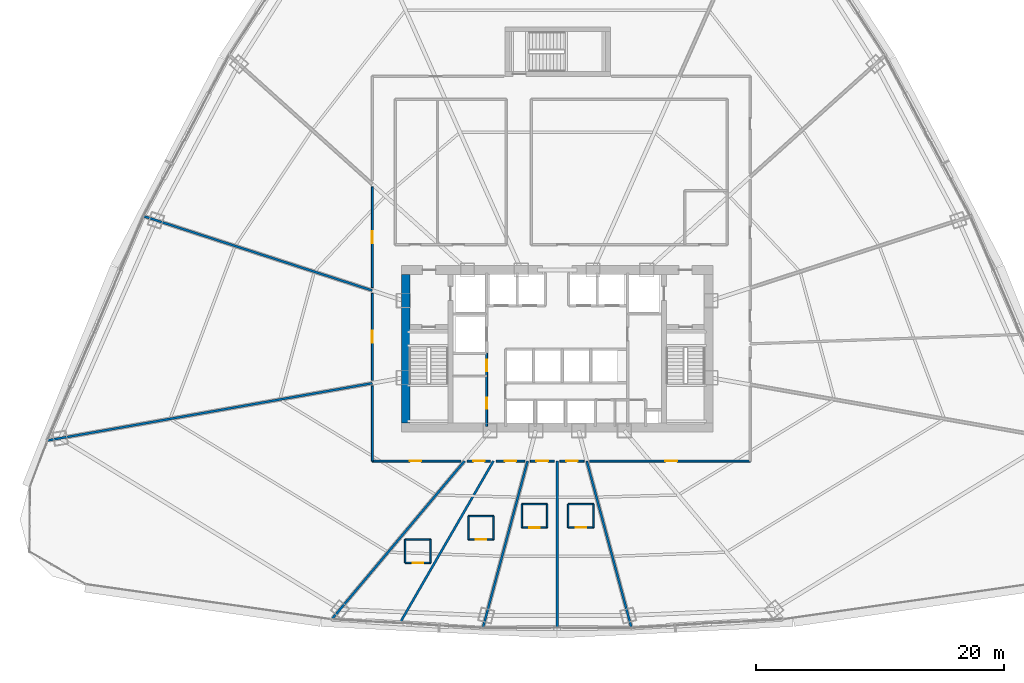
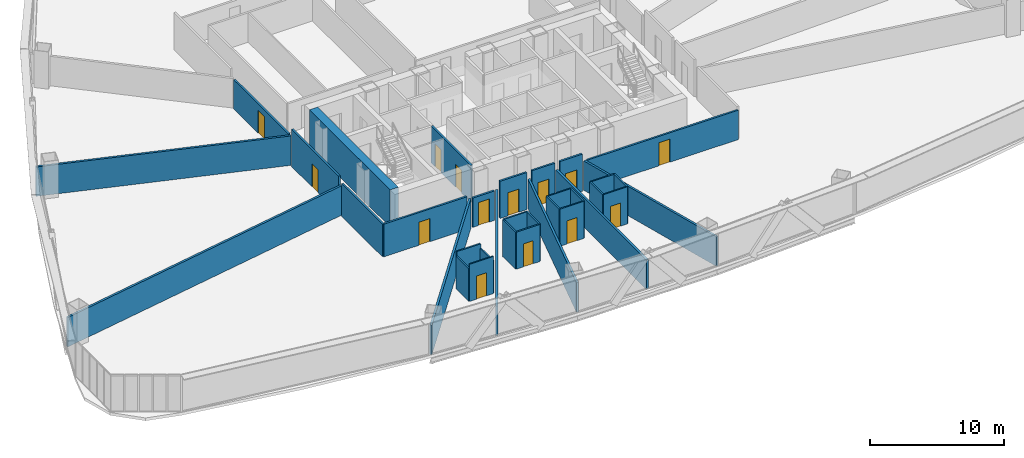
# One storey, part 32 of 40: 34 walls, 14 doors, 14 openings.
"""IFC4 building model written with IfcOpenShell, lengths in metres."""

from ifc_helpers import new_model, si_unit, direction, frame, frame_2d, origin, origin_with_axes, place, context, subcontext, project, spatial, rectangle, extrude, source, transform, mapped, material, layer, layer_set, type_object, element, fill, save


model = new_model("IFC4")

# Units and contexts
model_context = context("Model", 3, precision=1e-05, world=origin(), true_north=direction((0.0, 1.0)))
body_context = subcontext(model_context, "Body", "Model", "MODEL_VIEW")
ifc_project = project(units=[si_unit("LENGTHUNIT", "METRE"), si_unit("AREAUNIT", "SQUARE_METRE"), si_unit("VOLUMEUNIT", "CUBIC_METRE"), si_unit("PLANEANGLEUNIT", "RADIAN"), si_unit("MASSUNIT", "GRAM", prefix="KILO"), si_unit("THERMODYNAMICTEMPERATUREUNIT", "KELVIN"), si_unit("POWERUNIT", "WATT")], contexts=[model_context])

# Site, building, storey
site_placement = place(None, origin())
site = spatial("IfcSite", under=ifc_project, at=site_placement, CompositionType="ELEMENT")
building_placement = place(site_placement, origin())
building = spatial("IfcBuilding", under=site, at=building_placement, Name="Yunzhuo Pagoda Commons", CompositionType="ELEMENT")
storey_placement = place(building_placement, frame((0.0, 0.0, 66.699951171875)))
storey = spatial("IfcBuildingStorey", under=building, at=storey_placement, Name="L17", CompositionType="ELEMENT", Elevation=66.699951171875)

# Wall
ifc_material_1 = material(Name="Concrete C60", Category="concrete")
ifc_layer_1 = layer(ifc_material_1, 0.699951171875)
ifc_layer_set_1 = layer_set([ifc_layer_1], Name="Concrete C60")
wall_type_1 = type_object("IfcWallType", Name="W-C01 Lower Core Shear Wall 700", PredefinedType="SHEAR", material=ifc_layer_set_1)
wall_1_placement = place(storey_placement, frame((35.800048828125, 27.85009765625, 0.0), z_axis=(0.0, 0.0, 1.0), x_axis=(0.0, 1.0, 0.0)))
element("IfcWall", 1, at=wall_1_placement, inside=storey, type_object=wall_type_1, Name="L17 core shear wall W", PredefinedType="SHEAR", context=body_context, shape_type="SweptSolid", body=[
    extrude(rectangle(XDim=12.0, YDim=0.699951171875, at=frame_2d((6.0, 0.0))), origin(), (0.0, 0.0, 1.0), 3.3701171875),
])

# Wall, openings, doors
ifc_material_2 = material(Name="Gypsum plasterboard on acoustic stud")
ifc_layer_2 = layer(ifc_material_2, 0.159912109375)
ifc_layer_set_2 = layer_set([ifc_layer_2], Name="Gypsum plasterboard on acoustic stud")
wall_type_2 = type_object("IfcWallType", Name="W-COR1 Tower Rated Corridor Wall 160", PredefinedType="PARTITIONING", material=ifc_layer_set_2)
wall_2_placement = place(storey_placement, frame((42.320068359375, 27.60009765625, 0.0), z_axis=(0.0, 0.0, 1.0), x_axis=(0.0, 1.0, 0.0)))
wall_2 = element("IfcWall", 2, at=wall_2_placement, inside=storey, type_object=wall_type_2, Name="L17 interior wall IW-L17-CSWE", PredefinedType="PARTITIONING", context=body_context, shape_type="SweptSolid", body=[
    extrude(rectangle(XDim=5.89990234375, YDim=0.159912109375, at=frame_2d((2.949951171875, 0.0))), origin(), (0.0, 0.0, 1.0), 3.3701171875),
])
opening_1_placement = place(wall_2_placement, frame((1.39990234375, 0.0, 0.0)))
opening_1 = element("IfcOpeningElement", 3, at=opening_1_placement, cuts=wall_2, Name="Opening D-03", PredefinedType="OPENING", context=body_context, shape_type="SweptSolid", body=[
    extrude(rectangle(XDim=0.89990234375, YDim=2.10009765625, at=frame_2d((0.449951171875, 1.050048828125))), frame((0.0, 0.08984375, 0.0), z_axis=(0.0, -1.0, 0.0), x_axis=(1.0, 0.0, 0.0)), (0.0, 0.0, 1.0), 0.179931640625),
])
opening_2_placement = place(wall_2_placement, frame((4.449951171875, 0.0, 0.0)))
opening_2 = element("IfcOpeningElement", 4, at=opening_2_placement, cuts=wall_2, Name="Opening D-03", PredefinedType="OPENING", context=body_context, shape_type="SweptSolid", body=[
    extrude(rectangle(XDim=0.89990234375, YDim=2.10009765625, at=frame_2d((0.449951171875, 1.050048828125))), frame((0.0, 0.08984375, 0.0), z_axis=(0.0, -1.0, 0.0), x_axis=(1.0, 0.0, 0.0)), (0.0, 0.0, 1.0), 0.179931640625),
])
ifc_material_3 = material(Name="Galvanized fire-resisting metal leaf")
door_type_1 = type_object("IfcDoorType", Name="D-03 Core Service Fire Door 900x2100", OperationType="NOTDEFINED", PredefinedType="DOOR", material=ifc_material_3)
shared_shape_1 = source(origin(), body_context, "Body", "SweptSolid", [
    extrude(rectangle(XDim=0.89990234375, YDim=2.10009765625, at=frame_2d((0.449951171875, 1.050048828125))), frame((0.0, 0.02490234375, 0.0), z_axis=(0.0, -1.0, 0.0), x_axis=(1.0, 0.0, 0.0)), (0.0, 0.0, 1.0), 0.050048828125),
])
door_1_placement = place(opening_1_placement, origin_with_axes())
door_1 = element("IfcDoor", 5, at=door_1_placement, inside=storey, type_object=door_type_1, Name="L17 service store door", OperationType="SINGLE_SWING_LEFT", OverallHeight=2.10009765625, OverallWidth=0.89990234375, PredefinedType="DOOR", context=body_context, shape_type="MappedRepresentation", body=[
    mapped(shared_shape_1, transform((0.0, 0.0, 0.0), scale=1.0)),
])
fill(opening_1, door_1)
door_2_placement = place(opening_2_placement, origin_with_axes())
door_2 = element("IfcDoor", 6, at=door_2_placement, inside=storey, type_object=door_type_1, Name="L17 switch closet door", OperationType="SINGLE_SWING_RIGHT", OverallHeight=2.10009765625, OverallWidth=0.89990234375, PredefinedType="DOOR", context=body_context, shape_type="MappedRepresentation", body=[
    mapped(shared_shape_1, transform((0.0, 0.0, 0.0), scale=1.0)),
])
fill(opening_2, door_2)

# Wall
wall_3_placement = place(storey_placement, frame((33.10009765625, 24.800048828125, 0.0), z_axis=(0.0, 0.0, 1.0), x_axis=(0.0, 1.0, 0.0)))
element("IfcWall", 7, at=wall_3_placement, inside=storey, type_object=wall_type_2, Name="L17 interior wall IW-L17-CWL01", PredefinedType="PARTITIONING", context=body_context, shape_type="SweptSolid", body=[
    extrude(rectangle(XDim=6.04931640625, YDim=0.159912109375, at=frame_2d((3.024658203125, 0.0))), origin(), (0.0, 0.0, 1.0), 2.969970703125),
])

# Wall, opening, door
wall_4_placement = place(storey_placement, frame((33.10009765625, 31.29248046875, 0.0), z_axis=(0.0, 0.0, 1.0), x_axis=(0.0, 1.0, 0.0)))
wall_4 = element("IfcWall", 8, at=wall_4_placement, inside=storey, type_object=wall_type_2, Name="L17 interior wall IW-L17-CWL02", PredefinedType="PARTITIONING", context=body_context, shape_type="SweptSolid", body=[
    extrude(rectangle(XDim=7.029052734375, YDim=0.159912109375, at=frame_2d((3.5146484375, 0.0))), origin(), (0.0, 0.0, 1.0), 3.3701171875),
])
opening_3_placement = place(wall_4_placement, frame((3.03955078125, 0.0, 0.0)))
opening_3 = element("IfcOpeningElement", 9, at=opening_3_placement, cuts=wall_4, Name="Opening D-06", PredefinedType="OPENING", context=body_context, shape_type="SweptSolid", body=[
    extrude(rectangle(XDim=0.949951171875, YDim=2.10009765625, at=frame_2d((0.47509765625, 1.050048828125))), frame((0.0, 0.08984375, 0.0), z_axis=(0.0, -1.0, 0.0), x_axis=(1.0, 0.0, 0.0)), (0.0, 0.0, 1.0), 0.179931640625),
])
door_type_2 = type_object("IfcDoorType", Name="D-06 Co-Living Suite Entrance Fire Door 950x2100", OperationType="NOTDEFINED", PredefinedType="DOOR", material=ifc_material_3)
shared_shape_2 = source(origin(), body_context, "Body", "SweptSolid", [
    extrude(rectangle(XDim=0.949951171875, YDim=2.10009765625, at=frame_2d((0.47509765625, 1.050048828125))), frame((0.0, 0.02490234375, 0.0), z_axis=(0.0, -1.0, 0.0), x_axis=(1.0, 0.0, 0.0)), (0.0, 0.0, 1.0), 0.050048828125),
])
door_3_placement = place(opening_3_placement, origin_with_axes())
door_3 = element("IfcDoor", 10, at=door_3_placement, inside=storey, type_object=door_type_2, Name="L17 unit 06 entrance door", OperationType="SINGLE_SWING_LEFT", OverallHeight=2.10009765625, OverallWidth=0.949951171875, PredefinedType="DOOR", context=body_context, shape_type="MappedRepresentation", body=[
    mapped(shared_shape_2, transform((0.0, 0.0, 0.0), scale=1.0)),
])
fill(opening_3, door_3)

wall_5_placement = place(storey_placement, frame((33.10009765625, 38.772705078125, 0.0), z_axis=(0.0, 0.0, 1.0), x_axis=(0.0, 1.0, 0.0)))
wall_5 = element("IfcWall", 11, at=wall_5_placement, inside=storey, type_object=wall_type_2, Name="L17 interior wall IW-L17-CWL03", PredefinedType="PARTITIONING", context=body_context, shape_type="SweptSolid", body=[
    extrude(rectangle(XDim=8.12353515625, YDim=0.159912109375, at=frame_2d((4.061767578125, 0.0))), origin(), (0.0, 0.0, 1.0), 2.670166015625),
])
opening_4_placement = place(wall_5_placement, frame((3.5810546875, 0.0, 0.0)))
opening_4 = element("IfcOpeningElement", 12, at=opening_4_placement, cuts=wall_5, Name="Opening D-06", PredefinedType="OPENING", context=body_context, shape_type="SweptSolid", body=[
    extrude(rectangle(XDim=0.949951171875, YDim=2.10009765625, at=frame_2d((0.47509765625, 1.050048828125))), frame((0.0, 0.08984375, 0.0), z_axis=(0.0, -1.0, 0.0), x_axis=(1.0, 0.0, 0.0)), (0.0, 0.0, 1.0), 0.179931640625),
])
door_4_placement = place(opening_4_placement, origin_with_axes())
door_4 = element("IfcDoor", 13, at=door_4_placement, inside=storey, type_object=door_type_2, Name="L17 unit 05 entrance door", OperationType="SINGLE_SWING_RIGHT", OverallHeight=2.10009765625, OverallWidth=0.949951171875, PredefinedType="DOOR", context=body_context, shape_type="MappedRepresentation", body=[
    mapped(shared_shape_2, transform((0.0, 0.0, 0.0), scale=1.0)),
])
fill(opening_4, door_4)

wall_6_placement = place(storey_placement, frame((63.550048828125, 24.800048828125, 0.0), z_axis=(0.0, 0.0, 1.0), x_axis=(-1.0, 0.0, 0.0)))
wall_6 = element("IfcWall", 14, at=wall_6_placement, inside=storey, type_object=wall_type_2, Name="L17 interior wall IW-L17-CWL13", PredefinedType="PARTITIONING", context=body_context, shape_type="SweptSolid", body=[
    extrude(rectangle(XDim=12.9375, YDim=0.159912109375, at=frame_2d((6.46875, 0.0))), origin(), (0.0, 0.0, 1.0), 2.670166015625),
])
opening_5_placement = place(wall_6_placement, frame((5.877685546875, 0.0, 0.0)))
opening_5 = element("IfcOpeningElement", 15, at=opening_5_placement, cuts=wall_6, Name="Opening D-06", PredefinedType="OPENING", context=body_context, shape_type="SweptSolid", body=[
    extrude(rectangle(XDim=0.949951171875, YDim=2.10009765625, at=frame_2d((0.47509765625, 1.050048828125))), frame((0.0, 0.08984375, 0.0), z_axis=(0.0, -1.0, 0.0), x_axis=(1.0, 0.0, 0.0)), (0.0, 0.0, 1.0), 0.179931640625),
])
door_5_placement = place(opening_5_placement, origin_with_axes())
door_5 = element("IfcDoor", 16, at=door_5_placement, inside=storey, type_object=door_type_2, Name="L17 Resident Co-Living Commons Hall door", OperationType="SINGLE_SWING_LEFT", OverallHeight=2.10009765625, OverallWidth=0.949951171875, PredefinedType="DOOR", context=body_context, shape_type="MappedRepresentation", body=[
    mapped(shared_shape_2, transform((0.0, 0.0, 0.0), scale=1.0)),
])
fill(opening_5, door_5)

wall_7_placement = place(storey_placement, frame((50.164794921875, 24.800048828125, 0.0), z_axis=(0.0, 0.0, 1.0), x_axis=(-1.0, 0.0, 0.0)))
wall_7 = element("IfcWall", 17, at=wall_7_placement, inside=storey, type_object=wall_type_2, Name="L17 interior wall IW-L17-CWL14", PredefinedType="PARTITIONING", context=body_context, shape_type="SweptSolid", body=[
    extrude(rectangle(XDim=1.94482421875, YDim=0.159912109375, at=frame_2d((0.972412109375, 0.0))), origin(), (0.0, 0.0, 1.0), 3.3701171875),
])
opening_6_placement = place(wall_7_placement, frame((0.49755859375, 0.0, 0.0)))
opening_6 = element("IfcOpeningElement", 18, at=opening_6_placement, cuts=wall_7, Name="Opening D-06", PredefinedType="OPENING", context=body_context, shape_type="SweptSolid", body=[
    extrude(rectangle(XDim=0.949951171875, YDim=2.10009765625, at=frame_2d((0.47509765625, 1.050048828125))), frame((0.0, 0.08984375, 0.0), z_axis=(0.0, -1.0, 0.0), x_axis=(1.0, 0.0, 0.0)), (0.0, 0.0, 1.0), 0.179931640625),
])
door_6_placement = place(opening_6_placement, origin_with_axes())
door_6 = element("IfcDoor", 19, at=door_6_placement, inside=storey, type_object=door_type_2, Name="L17 unit 11 entrance door", OperationType="SINGLE_SWING_RIGHT", OverallHeight=2.10009765625, OverallWidth=0.949951171875, PredefinedType="DOOR", context=body_context, shape_type="MappedRepresentation", body=[
    mapped(shared_shape_2, transform((0.0, 0.0, 0.0), scale=1.0)),
])
fill(opening_6, door_6)

wall_8_placement = place(storey_placement, frame((47.780029296875, 24.800048828125, 0.0), z_axis=(0.0, 0.0, 1.0), x_axis=(-1.0, 0.0, 0.0)))
wall_8 = element("IfcWall", 20, at=wall_8_placement, inside=storey, type_object=wall_type_2, Name="L17 interior wall IW-L17-CWL15", PredefinedType="PARTITIONING", context=body_context, shape_type="SweptSolid", body=[
    extrude(rectangle(XDim=1.94482421875, YDim=0.159912109375, at=frame_2d((0.972412109375, 0.0))), origin(), (0.0, 0.0, 1.0), 3.3701171875),
])
opening_7_placement = place(wall_8_placement, frame((0.497314453125, 0.0, 0.0)))
opening_7 = element("IfcOpeningElement", 21, at=opening_7_placement, cuts=wall_8, Name="Opening D-06", PredefinedType="OPENING", context=body_context, shape_type="SweptSolid", body=[
    extrude(rectangle(XDim=0.949951171875, YDim=2.10009765625, at=frame_2d((0.47509765625, 1.050048828125))), frame((0.0, 0.08984375, 0.0), z_axis=(0.0, -1.0, 0.0), x_axis=(1.0, 0.0, 0.0)), (0.0, 0.0, 1.0), 0.179931640625),
])
door_7_placement = place(opening_7_placement, origin_with_axes())
door_7 = element("IfcDoor", 22, at=door_7_placement, inside=storey, type_object=door_type_2, Name="L17 unit 10 entrance door", OperationType="SINGLE_SWING_LEFT", OverallHeight=2.10009765625, OverallWidth=0.949951171875, PredefinedType="DOOR", context=body_context, shape_type="MappedRepresentation", body=[
    mapped(shared_shape_2, transform((0.0, 0.0, 0.0), scale=1.0)),
])
fill(opening_7, door_7)

wall_9_placement = place(storey_placement, frame((45.387451171875, 24.800048828125, 0.0), z_axis=(0.0, 0.0, 1.0), x_axis=(-1.0, 0.0, 0.0)))
wall_9 = element("IfcWall", 23, at=wall_9_placement, inside=storey, type_object=wall_type_2, Name="L17 interior wall IW-L17-CWL16", PredefinedType="PARTITIONING", context=body_context, shape_type="SweptSolid", body=[
    extrude(rectangle(XDim=2.30615234375, YDim=0.159912109375, at=frame_2d((1.153076171875, 0.0))), origin(), (0.0, 0.0, 1.0), 3.3701171875),
])
opening_8_placement = place(wall_9_placement, frame((0.674072265625, 0.0, 0.0)))
opening_8 = element("IfcOpeningElement", 24, at=opening_8_placement, cuts=wall_9, Name="Opening D-06", PredefinedType="OPENING", context=body_context, shape_type="SweptSolid", body=[
    extrude(rectangle(XDim=0.949951171875, YDim=2.10009765625, at=frame_2d((0.47509765625, 1.050048828125))), frame((0.0, 0.08984375, 0.0), z_axis=(0.0, -1.0, 0.0), x_axis=(1.0, 0.0, 0.0)), (0.0, 0.0, 1.0), 0.179931640625),
])
door_8_placement = place(opening_8_placement, origin_with_axes())
door_8 = element("IfcDoor", 25, at=door_8_placement, inside=storey, type_object=door_type_2, Name="L17 unit 09 entrance door", OperationType="SINGLE_SWING_RIGHT", OverallHeight=2.10009765625, OverallWidth=0.949951171875, PredefinedType="DOOR", context=body_context, shape_type="MappedRepresentation", body=[
    mapped(shared_shape_2, transform((0.0, 0.0, 0.0), scale=1.0)),
])
fill(opening_8, door_8)

wall_10_placement = place(storey_placement, frame((42.607666015625, 24.800048828125, 0.0), z_axis=(0.0, 0.0, 1.0), x_axis=(-1.0, 0.0, 0.0)))
wall_10 = element("IfcWall", 26, at=wall_10_placement, inside=storey, type_object=wall_type_2, Name="L17 interior wall IW-L17-CWL17", PredefinedType="PARTITIONING", context=body_context, shape_type="SweptSolid", body=[
    extrude(rectangle(XDim=1.855712890625, YDim=0.159912109375, at=frame_2d((0.927734375, 0.0))), origin(), (0.0, 0.0, 1.0), 2.670166015625),
])
opening_9_placement = place(wall_10_placement, frame((0.435791015625, 0.0, 0.0)))
opening_9 = element("IfcOpeningElement", 27, at=opening_9_placement, cuts=wall_10, Name="Opening D-06", PredefinedType="OPENING", context=body_context, shape_type="SweptSolid", body=[
    extrude(rectangle(XDim=0.949951171875, YDim=2.10009765625, at=frame_2d((0.47509765625, 1.050048828125))), frame((0.0, 0.08984375, 0.0), z_axis=(0.0, -1.0, 0.0), x_axis=(1.0, 0.0, 0.0)), (0.0, 0.0, 1.0), 0.179931640625),
])
door_9_placement = place(opening_9_placement, origin_with_axes())
door_9 = element("IfcDoor", 28, at=door_9_placement, inside=storey, type_object=door_type_2, Name="L17 unit 08 entrance door", OperationType="SINGLE_SWING_LEFT", OverallHeight=2.10009765625, OverallWidth=0.949951171875, PredefinedType="DOOR", context=body_context, shape_type="MappedRepresentation", body=[
    mapped(shared_shape_2, transform((0.0, 0.0, 0.0), scale=1.0)),
])
fill(opening_9, door_9)

wall_11_placement = place(storey_placement, frame((40.244873046875, 24.800048828125, 0.0), z_axis=(0.0, 0.0, 1.0), x_axis=(-1.0, 0.0, 0.0)))
wall_11 = element("IfcWall", 29, at=wall_11_placement, inside=storey, type_object=wall_type_2, Name="L17 interior wall IW-L17-CWL18", PredefinedType="PARTITIONING", context=body_context, shape_type="SweptSolid", body=[
    extrude(rectangle(XDim=7.144775390625, YDim=0.159912109375, at=frame_2d((3.572265625, 0.0))), origin(), (0.0, 0.0, 1.0), 2.969970703125),
])
opening_10_placement = place(wall_11_placement, frame((3.183837890625, 0.0, 0.0)))
opening_10 = element("IfcOpeningElement", 30, at=opening_10_placement, cuts=wall_11, Name="Opening D-06", PredefinedType="OPENING", context=body_context, shape_type="SweptSolid", body=[
    extrude(rectangle(XDim=0.949951171875, YDim=2.10009765625, at=frame_2d((0.47509765625, 1.050048828125))), frame((0.0, 0.08984375, 0.0), z_axis=(0.0, -1.0, 0.0), x_axis=(1.0, 0.0, 0.0)), (0.0, 0.0, 1.0), 0.179931640625),
])
door_10_placement = place(opening_10_placement, origin_with_axes())
door_10 = element("IfcDoor", 31, at=door_10_placement, inside=storey, type_object=door_type_2, Name="L17 unit 07 entrance door", OperationType="SINGLE_SWING_RIGHT", OverallHeight=2.10009765625, OverallWidth=0.949951171875, PredefinedType="DOOR", context=body_context, shape_type="MappedRepresentation", body=[
    mapped(shared_shape_2, transform((0.0, 0.0, 0.0), scale=1.0)),
])
fill(opening_10, door_10)

ifc_layer_3 = layer(ifc_material_2, 0.1201171875)
ifc_layer_set_3 = layer_set([ifc_layer_3], Name="Gypsum plasterboard on acoustic stud")
wall_type_3 = type_object("IfcWallType", Name="W-PRT1 Suite & Bathroom Partition 120", PredefinedType="PARTITIONING", material=ifc_layer_set_3)
wall_12_placement = place(storey_placement, frame((35.743896484375, 16.591064453125, 0.0), z_axis=(0.0, 0.0, 1.0), x_axis=(1.0, 0.0, 0.0)))
wall_12 = element("IfcWall", 32, at=wall_12_placement, inside=storey, type_object=wall_type_3, Name="L17 interior wall IW-L17-B08S", PredefinedType="PARTITIONING", context=body_context, shape_type="SweptSolid", body=[
    extrude(rectangle(XDim=2.050048828125, YDim=0.1201171875, at=frame_2d((1.02490234375, 0.0))), origin(), (0.0, 0.0, 1.0), 3.3701171875),
])
opening_11_placement = place(wall_12_placement, frame((0.60009765625, 0.0, 0.0)))
opening_11 = element("IfcOpeningElement", 33, at=opening_11_placement, cuts=wall_12, Name="Opening D-05", PredefinedType="OPENING", context=body_context, shape_type="SweptSolid", body=[
    extrude(rectangle(XDim=0.85009765625, YDim=2.10009765625, at=frame_2d((0.425048828125, 1.050048828125))), frame((0.0, 0.070068359375, 0.0), z_axis=(0.0, -1.0, 0.0), x_axis=(1.0, 0.0, 0.0)), (0.0, 0.0, 1.0), 0.14013671875),
])
ifc_material_4 = material(Name="Powder-coated aluminium and timber acoustic leaf", Category="wood")
door_type_3 = type_object("IfcDoorType", Name="D-05 En-Suite Bathroom Door 850x2100", OperationType="NOTDEFINED", PredefinedType="DOOR", material=ifc_material_4)
shared_shape_3 = source(origin(), body_context, "Body", "SweptSolid", [
    extrude(rectangle(XDim=0.85009765625, YDim=2.10009765625, at=frame_2d((0.425048828125, 1.050048828125))), frame((0.0, 0.02490234375, 0.0), z_axis=(0.0, -1.0, 0.0), x_axis=(1.0, 0.0, 0.0)), (0.0, 0.0, 1.0), 0.050048828125),
])
door_11_placement = place(opening_11_placement, frame((0.85009765625, 0.0, 0.0), z_axis=(0.0, 0.0, 1.0), x_axis=(-1.0, 0.0, 0.0)))
door_11 = element("IfcDoor", 34, at=door_11_placement, inside=storey, type_object=door_type_3, Name="L17 unit 08 bathroom door", OperationType="SINGLE_SWING_LEFT", OverallHeight=2.10009765625, OverallWidth=0.85009765625, PredefinedType="DOOR", context=body_context, shape_type="MappedRepresentation", body=[
    mapped(shared_shape_3, transform((0.0, 0.0, 0.0), scale=1.0)),
])
fill(opening_11, door_11)

# Walls
wall_13_placement = place(storey_placement, frame((37.7939453125, 16.591064453125, 0.0), z_axis=(0.0, 0.0, 1.0), x_axis=(0.0, 1.0, 0.0)))
element("IfcWall", 35, at=wall_13_placement, inside=storey, type_object=wall_type_3, Name="L17 interior wall IW-L17-B08E", PredefinedType="PARTITIONING", context=body_context, shape_type="SweptSolid", body=[
    extrude(rectangle(XDim=1.89990234375, YDim=0.1201171875, at=frame_2d((0.949951171875, 0.0))), origin(), (0.0, 0.0, 1.0), 2.969970703125),
])
wall_14_placement = place(storey_placement, frame((37.7939453125, 18.490966796875, 0.0), z_axis=(0.0, 0.0, 1.0), x_axis=(-1.0, 0.0, 0.0)))
element("IfcWall", 36, at=wall_14_placement, inside=storey, type_object=wall_type_3, Name="L17 interior wall IW-L17-B08N", PredefinedType="PARTITIONING", context=body_context, shape_type="SweptSolid", body=[
    extrude(rectangle(XDim=2.050048828125, YDim=0.1201171875, at=frame_2d((1.02490234375, 0.0))), origin(), (0.0, 0.0, 1.0), 3.3701171875),
])
wall_15_placement = place(storey_placement, frame((35.743896484375, 18.490966796875, 0.0), z_axis=(0.0, 0.0, 1.0), x_axis=(0.0, -1.0, 0.0)))
element("IfcWall", 37, at=wall_15_placement, inside=storey, type_object=wall_type_3, Name="L17 interior wall IW-L17-B08W", PredefinedType="PARTITIONING", context=body_context, shape_type="SweptSolid", body=[
    extrude(rectangle(XDim=1.89990234375, YDim=0.1201171875, at=frame_2d((0.949951171875, 0.0))), origin(), (0.0, 0.0, 1.0), 2.969970703125),
])

# Wall, opening, door
wall_16_placement = place(storey_placement, frame((40.8369140625, 18.467041015625, 0.0), z_axis=(0.0, 0.0, 1.0), x_axis=(1.0, 0.0, 0.0)))
wall_16 = element("IfcWall", 38, at=wall_16_placement, inside=storey, type_object=wall_type_3, Name="L17 interior wall IW-L17-B09S", PredefinedType="PARTITIONING", context=body_context, shape_type="SweptSolid", body=[
    extrude(rectangle(XDim=2.050048828125, YDim=0.1201171875, at=frame_2d((1.02490234375, 0.0))), origin(), (0.0, 0.0, 1.0), 3.3701171875),
])
opening_12_placement = place(wall_16_placement, frame((0.60009765625, 0.0, 0.0)))
opening_12 = element("IfcOpeningElement", 39, at=opening_12_placement, cuts=wall_16, Name="Opening D-05", PredefinedType="OPENING", context=body_context, shape_type="SweptSolid", body=[
    extrude(rectangle(XDim=0.85009765625, YDim=2.10009765625, at=frame_2d((0.425048828125, 1.050048828125))), frame((0.0, 0.070068359375, 0.0), z_axis=(0.0, -1.0, 0.0), x_axis=(1.0, 0.0, 0.0)), (0.0, 0.0, 1.0), 0.14013671875),
])
door_12_placement = place(opening_12_placement, frame((0.85009765625, 0.0, 0.0), z_axis=(0.0, 0.0, 1.0), x_axis=(-1.0, 0.0, 0.0)))
door_12 = element("IfcDoor", 40, at=door_12_placement, inside=storey, type_object=door_type_3, Name="L17 unit 09 bathroom door", OperationType="SINGLE_SWING_RIGHT", OverallHeight=2.10009765625, OverallWidth=0.85009765625, PredefinedType="DOOR", context=body_context, shape_type="MappedRepresentation", body=[
    mapped(shared_shape_3, transform((0.0, 0.0, 0.0), scale=1.0)),
])
fill(opening_12, door_12)

# Walls
wall_17_placement = place(storey_placement, frame((42.886962890625, 18.467041015625, 0.0), z_axis=(0.0, 0.0, 1.0), x_axis=(0.0, 1.0, 0.0)))
element("IfcWall", 41, at=wall_17_placement, inside=storey, type_object=wall_type_3, Name="L17 interior wall IW-L17-B09E", PredefinedType="PARTITIONING", context=body_context, shape_type="SweptSolid", body=[
    extrude(rectangle(XDim=1.89990234375, YDim=0.1201171875, at=frame_2d((0.949951171875, 0.0))), origin(), (0.0, 0.0, 1.0), 3.3701171875),
])
wall_18_placement = place(storey_placement, frame((42.886962890625, 20.366943359375, 0.0), z_axis=(0.0, 0.0, 1.0), x_axis=(-1.0, 0.0, 0.0)))
element("IfcWall", 42, at=wall_18_placement, inside=storey, type_object=wall_type_3, Name="L17 interior wall IW-L17-B09N", PredefinedType="PARTITIONING", context=body_context, shape_type="SweptSolid", body=[
    extrude(rectangle(XDim=2.050048828125, YDim=0.1201171875, at=frame_2d((1.02490234375, 0.0))), origin(), (0.0, 0.0, 1.0), 3.3701171875),
])
wall_19_placement = place(storey_placement, frame((40.8369140625, 20.366943359375, 0.0), z_axis=(0.0, 0.0, 1.0), x_axis=(0.0, -1.0, 0.0)))
element("IfcWall", 43, at=wall_19_placement, inside=storey, type_object=wall_type_3, Name="L17 interior wall IW-L17-B09W", PredefinedType="PARTITIONING", context=body_context, shape_type="SweptSolid", body=[
    extrude(rectangle(XDim=1.89990234375, YDim=0.1201171875, at=frame_2d((0.949951171875, 0.0))), origin(), (0.0, 0.0, 1.0), 3.3701171875),
])

# Wall, opening, door
wall_20_placement = place(storey_placement, frame((45.14599609375, 19.425048828125, 0.0), z_axis=(0.0, 0.0, 1.0), x_axis=(1.0, 0.0, 0.0)))
wall_20 = element("IfcWall", 44, at=wall_20_placement, inside=storey, type_object=wall_type_3, Name="L17 interior wall IW-L17-B10S", PredefinedType="PARTITIONING", context=body_context, shape_type="SweptSolid", body=[
    extrude(rectangle(XDim=2.050048828125, YDim=0.1201171875, at=frame_2d((1.02490234375, 0.0))), origin(), (0.0, 0.0, 1.0), 3.3701171875),
])
opening_13_placement = place(wall_20_placement, frame((0.60009765625, 0.0, 0.0)))
opening_13 = element("IfcOpeningElement", 45, at=opening_13_placement, cuts=wall_20, Name="Opening D-05", PredefinedType="OPENING", context=body_context, shape_type="SweptSolid", body=[
    extrude(rectangle(XDim=0.85009765625, YDim=2.10009765625, at=frame_2d((0.425048828125, 1.050048828125))), frame((0.0, 0.070068359375, 0.0), z_axis=(0.0, -1.0, 0.0), x_axis=(1.0, 0.0, 0.0)), (0.0, 0.0, 1.0), 0.14013671875),
])
door_13_placement = place(opening_13_placement, frame((0.85009765625, 0.0, 0.0), z_axis=(0.0, 0.0, 1.0), x_axis=(-1.0, 0.0, 0.0)))
door_13 = element("IfcDoor", 46, at=door_13_placement, inside=storey, type_object=door_type_3, Name="L17 unit 10 bathroom door", OperationType="SINGLE_SWING_LEFT", OverallHeight=2.10009765625, OverallWidth=0.85009765625, PredefinedType="DOOR", context=body_context, shape_type="MappedRepresentation", body=[
    mapped(shared_shape_3, transform((0.0, 0.0, 0.0), scale=1.0)),
])
fill(opening_13, door_13)

# Walls
wall_21_placement = place(storey_placement, frame((47.196044921875, 19.425048828125, 0.0), z_axis=(0.0, 0.0, 1.0), x_axis=(0.0, 1.0, 0.0)))
element("IfcWall", 47, at=wall_21_placement, inside=storey, type_object=wall_type_3, Name="L17 interior wall IW-L17-B10E", PredefinedType="PARTITIONING", context=body_context, shape_type="SweptSolid", body=[
    extrude(rectangle(XDim=1.89990234375, YDim=0.1201171875, at=frame_2d((0.949951171875, 0.0))), origin(), (0.0, 0.0, 1.0), 3.3701171875),
])
wall_22_placement = place(storey_placement, frame((47.196044921875, 21.324951171875, 0.0), z_axis=(0.0, 0.0, 1.0), x_axis=(-1.0, 0.0, 0.0)))
element("IfcWall", 48, at=wall_22_placement, inside=storey, type_object=wall_type_3, Name="L17 interior wall IW-L17-B10N", PredefinedType="PARTITIONING", context=body_context, shape_type="SweptSolid", body=[
    extrude(rectangle(XDim=2.050048828125, YDim=0.1201171875, at=frame_2d((1.02490234375, 0.0))), origin(), (0.0, 0.0, 1.0), 3.3701171875),
])
wall_23_placement = place(storey_placement, frame((45.14599609375, 21.324951171875, 0.0), z_axis=(0.0, 0.0, 1.0), x_axis=(0.0, -1.0, 0.0)))
element("IfcWall", 49, at=wall_23_placement, inside=storey, type_object=wall_type_3, Name="L17 interior wall IW-L17-B10W", PredefinedType="PARTITIONING", context=body_context, shape_type="SweptSolid", body=[
    extrude(rectangle(XDim=1.89990234375, YDim=0.1201171875, at=frame_2d((0.949951171875, 0.0))), origin(), (0.0, 0.0, 1.0), 3.3701171875),
])

# Wall, opening, door
wall_24_placement = place(storey_placement, frame((48.885009765625, 19.43310546875, 0.0), z_axis=(0.0, 0.0, 1.0), x_axis=(1.0, 0.0, 0.0)))
wall_24 = element("IfcWall", 50, at=wall_24_placement, inside=storey, type_object=wall_type_3, Name="L17 interior wall IW-L17-B11S", PredefinedType="PARTITIONING", context=body_context, shape_type="SweptSolid", body=[
    extrude(rectangle(XDim=2.050048828125, YDim=0.1201171875, at=frame_2d((1.02490234375, 0.0))), origin(), (0.0, 0.0, 1.0), 3.3701171875),
])
opening_14_placement = place(wall_24_placement, frame((0.60009765625, 0.0, 0.0)))
opening_14 = element("IfcOpeningElement", 51, at=opening_14_placement, cuts=wall_24, Name="Opening D-05", PredefinedType="OPENING", context=body_context, shape_type="SweptSolid", body=[
    extrude(rectangle(XDim=0.85009765625, YDim=2.10009765625, at=frame_2d((0.425048828125, 1.050048828125))), frame((0.0, 0.070068359375, 0.0), z_axis=(0.0, -1.0, 0.0), x_axis=(1.0, 0.0, 0.0)), (0.0, 0.0, 1.0), 0.14013671875),
])
door_14_placement = place(opening_14_placement, frame((0.85009765625, 0.0, 0.0), z_axis=(0.0, 0.0, 1.0), x_axis=(-1.0, 0.0, 0.0)))
door_14 = element("IfcDoor", 52, at=door_14_placement, inside=storey, type_object=door_type_3, Name="L17 unit 11 bathroom door", OperationType="SINGLE_SWING_RIGHT", OverallHeight=2.10009765625, OverallWidth=0.85009765625, PredefinedType="DOOR", context=body_context, shape_type="MappedRepresentation", body=[
    mapped(shared_shape_3, transform((0.0, 0.0, 0.0), scale=1.0)),
])
fill(opening_14, door_14)

# Walls
wall_25_placement = place(storey_placement, frame((50.93505859375, 19.43310546875, 0.0), z_axis=(0.0, 0.0, 1.0), x_axis=(0.0, 1.0, 0.0)))
element("IfcWall", 53, at=wall_25_placement, inside=storey, type_object=wall_type_3, Name="L17 interior wall IW-L17-B11E", PredefinedType="PARTITIONING", context=body_context, shape_type="SweptSolid", body=[
    extrude(rectangle(XDim=1.89990234375, YDim=0.1201171875, at=frame_2d((0.949951171875, 0.0))), origin(), (0.0, 0.0, 1.0), 3.3701171875),
])
wall_26_placement = place(storey_placement, frame((50.93505859375, 21.3330078125, 0.0), z_axis=(0.0, 0.0, 1.0), x_axis=(-1.0, 0.0, 0.0)))
element("IfcWall", 54, at=wall_26_placement, inside=storey, type_object=wall_type_3, Name="L17 interior wall IW-L17-B11N", PredefinedType="PARTITIONING", context=body_context, shape_type="SweptSolid", body=[
    extrude(rectangle(XDim=2.050048828125, YDim=0.1201171875, at=frame_2d((1.02490234375, 0.0))), origin(), (0.0, 0.0, 1.0), 3.3701171875),
])
wall_27_placement = place(storey_placement, frame((48.885009765625, 21.3330078125, 0.0), z_axis=(0.0, 0.0, 1.0), x_axis=(0.0, -1.0, 0.0)))
element("IfcWall", 55, at=wall_27_placement, inside=storey, type_object=wall_type_3, Name="L17 interior wall IW-L17-B11W", PredefinedType="PARTITIONING", context=body_context, shape_type="SweptSolid", body=[
    extrude(rectangle(XDim=1.89990234375, YDim=0.1201171875, at=frame_2d((0.949951171875, 0.0))), origin(), (0.0, 0.0, 1.0), 3.3701171875),
])
ifc_layer_4 = layer(ifc_material_2, 0.179931640625)
ifc_layer_set_4 = layer_set([ifc_layer_4], Name="Gypsum plasterboard on acoustic stud")
wall_type_4 = type_object("IfcWallType", Name="W-PRT2 Acoustic Unit Demising Wall 180", PredefinedType="PARTITIONING", material=ifc_layer_set_4)
wall_28_placement = place(storey_placement, frame((33.10009765625, 38.541259765625, 0.0), z_axis=(0.0, 0.0, 1.0), x_axis=(-0.951054245528, 0.309023982992, 0.0)))
element("IfcWall", 56, at=wall_28_placement, inside=storey, type_object=wall_type_4, Name="L17 interior wall IW-L17-RAD06", PredefinedType="PARTITIONING", context=body_context, shape_type="SweptSolid", body=[
    extrude(rectangle(XDim=19.3828125, YDim=0.179931640625, at=frame_2d((9.69140625, 0.0))), origin(), (0.0, 0.0, 1.0), 2.670166015625),
])
wall_29_placement = place(storey_placement, frame((33.10009765625, 31.07275390625, 0.0), z_axis=(0.0, 0.0, 1.0), x_axis=(-0.984808509529, -0.173643887195, 0.0)))
element("IfcWall", 57, at=wall_29_placement, inside=storey, type_object=wall_type_4, Name="L17 interior wall IW-L17-RAD07", PredefinedType="PARTITIONING", context=body_context, shape_type="SweptSolid", body=[
    extrude(rectangle(XDim=26.585693359375, YDim=0.179931640625, at=frame_2d((13.29296875, 0.0))), origin(), (0.0, 0.0, 1.0), 2.670166015625),
])
wall_30_placement = place(storey_placement, frame((40.531982421875, 24.800048828125, 0.0), z_axis=(0.0, 0.0, 1.0), x_axis=(-0.642782945965, -0.766048356422, 0.0)))
element("IfcWall", 58, at=wall_30_placement, inside=storey, type_object=wall_type_4, Name="L17 interior wall IW-L17-RAD08", PredefinedType="PARTITIONING", context=body_context, shape_type="SweptSolid", body=[
    extrude(rectangle(XDim=16.656982421875, YDim=0.179931640625, at=frame_2d((8.32861328125, 0.0))), origin(), (0.0, 0.0, 1.0), 2.670166015625),
])
wall_31_placement = place(storey_placement, frame((42.861572265625, 24.800048828125, 0.0), z_axis=(0.0, 0.0, 1.0), x_axis=(-0.499994448746, -0.866028608779, 0.0)))
element("IfcWall", 59, at=wall_31_placement, inside=storey, type_object=wall_type_4, Name="L17 interior wall IW-L17-RAD09", PredefinedType="PARTITIONING", context=body_context, shape_type="SweptSolid", body=[
    extrude(rectangle(XDim=15.099365234375, YDim=0.179931640625, at=frame_2d((7.5498046875, 0.0))), origin(), (0.0, 0.0, 1.0), 2.670166015625),
])
wall_32_placement = place(storey_placement, frame((45.615234375, 24.800048828125, 0.0), z_axis=(0.0, 0.0, 1.0), x_axis=(-0.258819267056, -0.965925766817, 0.0)))
element("IfcWall", 60, at=wall_32_placement, inside=storey, type_object=wall_type_4, Name="L17 interior wall IW-L17-RAD10", PredefinedType="PARTITIONING", context=body_context, shape_type="SweptSolid", body=[
    extrude(rectangle(XDim=13.93701171875, YDim=0.179931640625, at=frame_2d((6.968505859375, 0.0))), origin(), (0.0, 0.0, 1.0), 2.670166015625),
])
wall_33_placement = place(storey_placement, frame((48.0, 24.800048828125, 0.0), z_axis=(0.0, 0.0, 1.0), x_axis=(0.0, -1.0, 0.0)))
element("IfcWall", 61, at=wall_33_placement, inside=storey, type_object=wall_type_4, Name="L17 interior wall IW-L17-RAD11", PredefinedType="PARTITIONING", context=body_context, shape_type="SweptSolid", body=[
    extrude(rectangle(XDim=13.462158203125, YDim=0.179931640625, at=frame_2d((6.73095703125, 0.0))), origin(), (0.0, 0.0, 1.0), 2.670166015625),
])
wall_34_placement = place(storey_placement, frame((50.384765625, 24.800048828125, 0.0), z_axis=(0.0, 0.0, 1.0), x_axis=(0.258819267056, -0.965925766817, 0.0)))
element("IfcWall", 62, at=wall_34_placement, inside=storey, type_object=wall_type_4, Name="L17 interior wall IW-L17-RAD12", PredefinedType="PARTITIONING", context=body_context, shape_type="SweptSolid", body=[
    extrude(rectangle(XDim=13.93701171875, YDim=0.179931640625, at=frame_2d((6.968505859375, 0.0))), origin(), (0.0, 0.0, 1.0), 2.670166015625),
])

save(model, "model.ifc")
